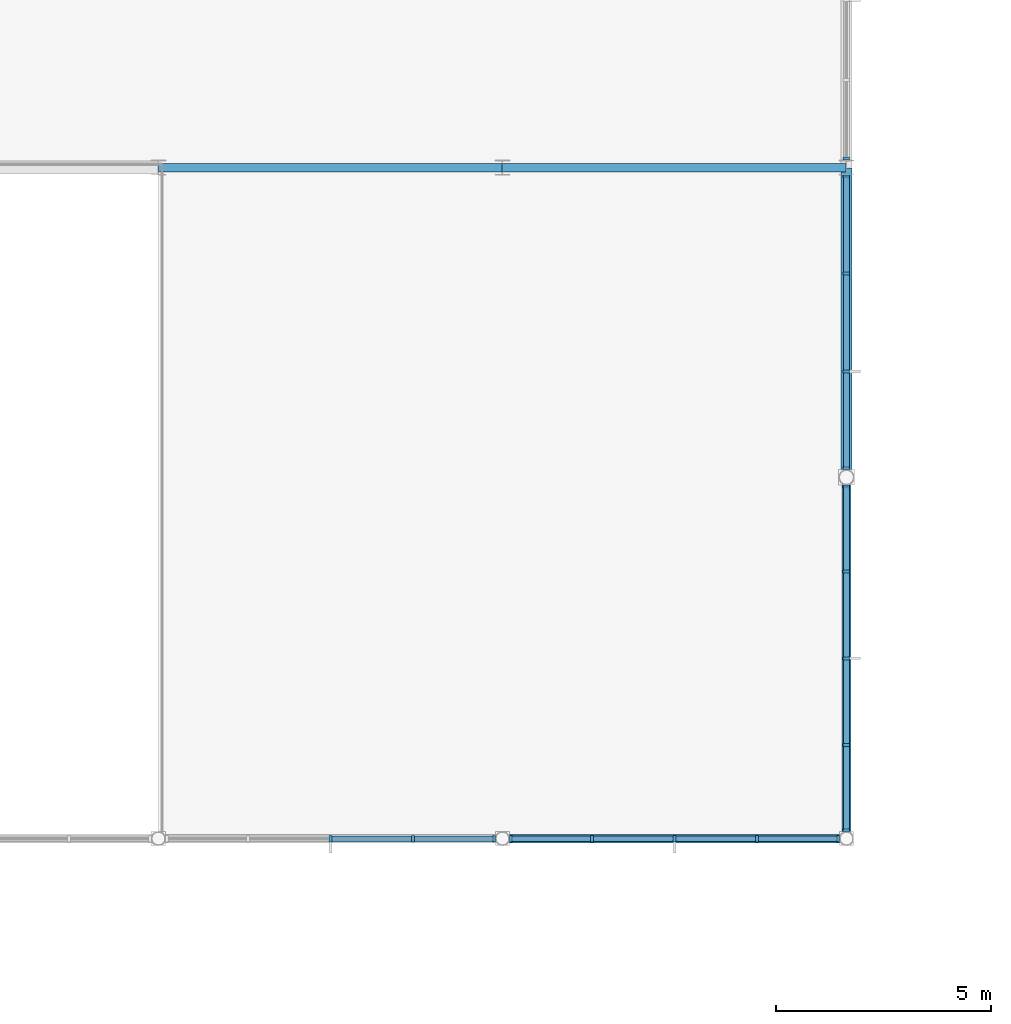
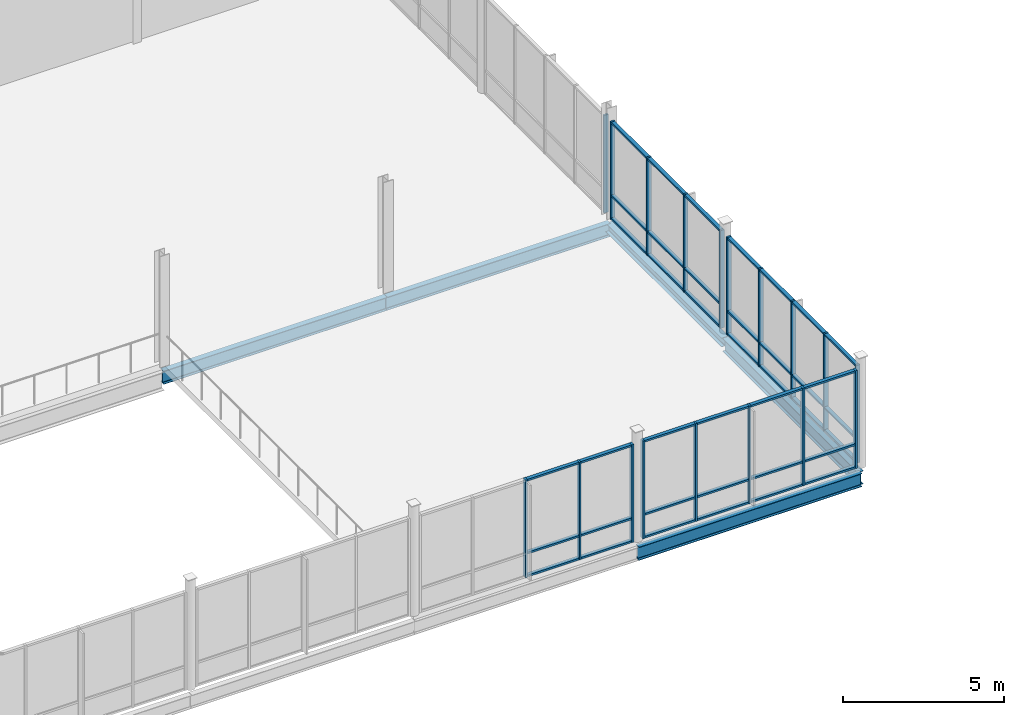
# One storey, part 29 of 75: 57 members, 5 beams, 5 elements without a shape of their own.
"""IFC4 building model written with IfcOpenShell, lengths in metres."""

import ifcopenshell
import ifcopenshell.guid

model = None  # the IFC model being written
_history = None  # IfcOwnerHistory: only IFC2X3 demands one
_inside = {}  # id of a spatial element -> (the spatial element, [elements in it])
_under = {}  # id of a project, library or spatial element -> (it, [spatial elements below it])
_declared = {}  # id of a project -> (the project, [libraries it declares])
_typed = {}  # id of a type object -> (the type object, [elements of that type])
_made_of = {}  # id of a material, layer set ... -> (it, [elements and type objects made of it])


def new_model(schema):
    """Start an empty IFC model of exactly this schema.

    Asked for "IFC4X3", IfcOpenShell would pick the latest addendum, in which some entities
    have other attributes; the version numbers below select the first issue.
    IFC2X3 requires an IfcOwnerHistory on every rooted entity: one is made here for all.
    """
    global model, _history
    if schema == "IFC4X3":
        model = ifcopenshell.file(schema_version=(4, 3, 0, 0))
    else:
        model = ifcopenshell.file(schema=schema)
    _inside.clear()
    _under.clear()
    _declared.clear()
    _typed.clear()
    _made_of.clear()
    _history = None
    if model.schema == "IFC2X3":
        org = make("IfcOrganization", Name="unknown")
        user = make(
            "IfcPersonAndOrganization",
            ThePerson=make("IfcPerson", FamilyName="unknown"),
            TheOrganization=org,
        )
        app = make(
            "IfcApplication",
            ApplicationDeveloper=org,
            Version="unknown",
            ApplicationFullName="unknown",
            ApplicationIdentifier="unknown",
        )
        _history = make(
            "IfcOwnerHistory",
            OwningUser=user,
            OwningApplication=app,
            ChangeAction="ADDED",
            CreationDate=0,
        )
    return model


def make(cls, **values):
    """One entity of the class cls with the attributes given. An attribute that is None is left unset."""
    return model.create_entity(
        cls, **{name: value for name, value in values.items() if value is not None}
    )


def rooted(cls, **values):
    """An entity with a GlobalId (a new one), such as an element, a storey or a relation."""
    return make(cls, GlobalId=ifcopenshell.guid.new(), OwnerHistory=_history, **values)


def si_unit(unit_type, name, prefix=None):
    """IfcSIUnit, for example si_unit("LENGTHUNIT", "METRE", prefix="MILLI")."""
    return make("IfcSIUnit", UnitType=unit_type, Prefix=prefix, Name=name)


def assignment(units):
    """IfcUnitAssignment: the units of a project."""
    return None if units is None else make("IfcUnitAssignment", Units=units)


def point(xyz):
    """IfcCartesianPoint."""
    return None if xyz is None else make("IfcCartesianPoint", Coordinates=xyz)


def direction(xyz):
    """IfcDirection."""
    return None if xyz is None else make("IfcDirection", DirectionRatios=xyz)


def frame(location, z_axis=None, x_axis=None):
    """IfcAxis2Placement3D, a coordinate frame: its origin and axes. An axis left out is left unset."""
    return make(
        "IfcAxis2Placement3D",
        Location=point(location),
        Axis=direction(z_axis),
        RefDirection=direction(x_axis),
    )


def frame_2d(location, x_axis=None):
    """IfcAxis2Placement2D, a coordinate frame in the plane: its origin and x axis."""
    return make(
        "IfcAxis2Placement2D", Location=point(location), RefDirection=direction(x_axis)
    )


def origin():
    """The frame at (0, 0, 0) with its axes left unset."""
    return frame((0.0, 0.0, 0.0))


def origin_2d():
    """The frame at (0, 0) in the plane with its x axis left unset."""
    return frame_2d((0.0, 0.0))


def place(relative_to, where):
    """IfcLocalPlacement: puts the frame where relative to a parent placement (None: the world)."""
    return make(
        "IfcLocalPlacement", PlacementRelTo=relative_to, RelativePlacement=where
    )


def context(
    kind, dimensions, precision=None, world=None, true_north=None, identifier=None
):
    """IfcGeometricRepresentationContext, for example the 3D "Model" context."""
    return make(
        "IfcGeometricRepresentationContext",
        ContextIdentifier=identifier,
        ContextType=kind,
        CoordinateSpaceDimension=dimensions,
        Precision=precision,
        WorldCoordinateSystem=world,
        TrueNorth=true_north,
    )


def subcontext(parent, identifier, kind, view, scale=None):
    """IfcGeometricRepresentationSubContext, for example "Body" below "Model"."""
    return make(
        "IfcGeometricRepresentationSubContext",
        ContextIdentifier=identifier,
        ContextType=kind,
        ParentContext=parent,
        TargetScale=scale,
        TargetView=view,
    )


def project(units=None, contexts=None):
    """IfcProject with its units and contexts."""
    return rooted(
        "IfcProject",
        Name="project",
        RepresentationContexts=contexts,
        UnitsInContext=assignment(units),
    )


def spatial(cls, under=None, at=None, **own):
    """A site, building, storey or space (cls), placed at a placement, below another one or the project."""
    s = rooted(cls, ObjectPlacement=at, **own)
    if under is not None:
        _under.setdefault(under.id(), (under, []))[1].append(s)
    return s


def profile(cls, at=None, kind="AREA", **sizes):
    """A parametric profile (cls). Its sizes go by their IFC names, for example OverallWidth=200.0."""
    return make(cls, ProfileType=kind, Position=at, **sizes)


def rectangle(**sizes):
    """IfcRectangleProfileDef."""
    return profile("IfcRectangleProfileDef", **sizes)


def i_section(**sizes):
    """IfcIShapeProfileDef."""
    return profile("IfcIShapeProfileDef", **sizes)


def extrude(swept, where, along, depth):
    """IfcExtrudedAreaSolid: the profile swept, set in the frame where, extruded along a direction by depth."""
    return make(
        "IfcExtrudedAreaSolid",
        SweptArea=swept,
        Position=where,
        ExtrudedDirection=direction(along),
        Depth=depth,
    )


def shape(context_of_items, identifier, shape_type, items):
    """IfcShapeRepresentation: the items that make up one representation, for example the "Body"."""
    return make(
        "IfcShapeRepresentation",
        ContextOfItems=context_of_items,
        RepresentationIdentifier=identifier,
        RepresentationType=shape_type,
        Items=items,
    )


def material(Name=None, Category=None):
    """IfcMaterial."""
    return make("IfcMaterial", Name=Name, Category=Category)


def layer(
    of_material, thickness, ventilated=None, Name=None, Category=None, Priority=None
):
    """IfcMaterialLayer: one layer of a wall or slab, of a material (None: an air gap)."""
    return make(
        "IfcMaterialLayer",
        Material=of_material,
        LayerThickness=thickness,
        IsVentilated=ventilated,
        Name=Name,
        Category=Category,
        Priority=Priority,
    )


def layer_set(layers, Name=None):
    """IfcMaterialLayerSet."""
    return make("IfcMaterialLayerSet", MaterialLayers=layers, LayerSetName=Name)


def material_profile(
    of_material, cross_section, Name=None, Category=None, Priority=None
):
    """IfcMaterialProfile: a cross section and its material."""
    return make(
        "IfcMaterialProfile",
        Name=Name,
        Material=of_material,
        Profile=cross_section,
        Priority=Priority,
        Category=Category,
    )


def profile_set(profiles, Name=None, composite=None):
    """IfcMaterialProfileSet."""
    return make(
        "IfcMaterialProfileSet",
        Name=Name,
        MaterialProfiles=profiles,
        CompositeProfile=composite,
    )


def made_of(thing, what):
    """Note that an element or type object is made of a material, layer set ...; save() writes the relation."""
    if what is not None:
        _made_of.setdefault(what.id(), (what, []))[1].append(thing)
    return thing


def type_object(cls, material=None, **own):
    """A type object (cls), such as IfcWallType, which elements share."""
    return made_of(rooted(cls, **own), material)


def element(
    cls,
    number,
    at=None,
    inside=None,
    cuts=None,
    type_object=None,
    material=None,
    context=None,
    identifier="Body",
    shape_type=None,
    held_by="IfcProductDefinitionShape",
    body=None,
    shapes=None,
    **own,
):
    """One element of the class cls, such as IfcWall. Its Tag is "e" and its number.

    at: its placement. inside: the storey or other place that contains it. cuts: it is an
    opening in that element (IfcRelVoidsElement). A single representation is given by context,
    identifier, shape_type and body (its items); several are given by shapes. held_by: the class
    of the entity that holds the representations. save() writes the other relations.
    """
    e = rooted(cls, Tag="e%d" % number, ObjectPlacement=at, **own)
    if body is not None:
        shapes = [shape(context, identifier, shape_type, body)]
    if shapes is not None:
        e.Representation = make(held_by, Representations=shapes)
    if inside is not None:
        _inside.setdefault(inside.id(), (inside, []))[1].append(e)
    if cuts is not None:
        rooted(
            "IfcRelVoidsElement", RelatingBuildingElement=cuts, RelatedOpeningElement=e
        )
    if type_object is not None:
        _typed.setdefault(type_object.id(), (type_object, []))[1].append(e)
    return made_of(e, material)


def aggregate(whole, parts):
    """IfcRelAggregates: a whole, such as a stair, and the parts it consists of."""
    return rooted("IfcRelAggregates", RelatingObject=whole, RelatedObjects=parts)


def save(model, path):
    """Write the relations noted so far, then the file.

    IfcRelAggregates (storeys below a building ...), IfcRelContainedInSpatialStructure (elements
    in a storey), IfcRelDefinesByType, IfcRelAssociatesMaterial and IfcRelDeclares: one each for
    every whole, place, type object, material and project.
    """
    for whole, parts in _under.values():
        aggregate(whole, parts)
    for where, things in _inside.values():
        rooted(
            "IfcRelContainedInSpatialStructure",
            RelatedElements=things,
            RelatingStructure=where,
        )
    for kind, things in _typed.values():
        rooted("IfcRelDefinesByType", RelatedObjects=things, RelatingType=kind)
    for what, things in _made_of.values():
        rooted("IfcRelAssociatesMaterial", RelatedObjects=things, RelatingMaterial=what)
    for by, libraries in _declared.values():
        rooted("IfcRelDeclares", RelatingContext=by, RelatedDefinitions=libraries)
    model.write(path)


model = new_model("IFC4")

# Units and contexts
model_context = context("Model", 3, precision=1e-05, world=origin(), true_north=direction((0.0, 1.0)))
body_context = subcontext(model_context, "Body", "Model", "MODEL_VIEW")
ifc_project = project(units=[si_unit("LENGTHUNIT", "METRE"), si_unit("AREAUNIT", "SQUARE_METRE"), si_unit("VOLUMEUNIT", "CUBIC_METRE"), si_unit("PLANEANGLEUNIT", "RADIAN"), si_unit("MASSUNIT", "GRAM", prefix="KILO")], contexts=[model_context])

# Site, building, storey
site_placement = place(None, origin())
site = spatial("IfcSite", under=ifc_project, at=site_placement, CompositionType="ELEMENT")
building_placement = place(site_placement, origin())
building = spatial("IfcBuilding", under=site, at=building_placement, Name="Yukiwa Park Conservatory and Herbarium", CompositionType="ELEMENT")
storey_placement = place(building_placement, frame((0.0, 0.0, 4.800048828125)))
storey = spatial("IfcBuildingStorey", under=building, at=storey_placement, Name="L01", CompositionType="ELEMENT", Elevation=4.800048828125)

# Beams
ifc_material_1 = material(Name="Steel Q355D", Category="steel")
ifc_material_profile_1 = material_profile(ifc_material_1, i_section(OverallWidth=0.25, OverallDepth=0.340087890625, WebThickness=0.009033203125, FlangeThickness=0.013916015625, FilletRadius=0.02001953125, at=origin_2d()), Name="HM 340x250x9x14")
ifc_profile_set_1 = profile_set([ifc_material_profile_1], Name="Steel Q355D")
beam_type_1 = type_object("IfcBeamType", Name="BM-GRD-HM340", PredefinedType="BEAM", material=ifc_profile_set_1)
beam_1_placement = place(storey_placement, frame((108.0, 24.006103515625, -0.41015625), z_axis=(0.0, 1.0, 0.0), x_axis=(-1.0, 0.0, 0.0)))
element("IfcBeam", 1, at=beam_1_placement, inside=storey, type_object=beam_type_1, Name="L01 grid girder Y-148", PredefinedType="BEAM", context=body_context, shape_type="SweptSolid", body=[
    extrude(i_section(OverallWidth=0.25, OverallDepth=0.340087890625, WebThickness=0.009033203125, FlangeThickness=0.013916015625, FilletRadius=0.02001953125, at=origin_2d()), origin(), (0.0, 0.0, 1.0), 7.18798828125),
])
ifc_material_2 = material(Name="Steel Q355D", Category="steel")
ifc_material_profile_2 = material_profile(ifc_material_2, i_section(OverallWidth=0.199951171875, OverallDepth=0.5, WebThickness=0.010009765625, FlangeThickness=0.01611328125, FilletRadius=0.02001953125, at=origin_2d()), Name="HN 500x200x10x16")
ifc_profile_set_2 = profile_set([ifc_material_profile_2], Name="Steel Q355D")
beam_type_2 = type_object("IfcBeamType", Name="BM-GRD-HN500", PredefinedType="BEAM", material=ifc_profile_set_2)
for number, where, z_axis, x_axis, name in (
    (2, (100.006103515625, 15.60009765625, -0.489990234375), (1.0, 0.0, 0.0), (0.0, 1.0, 0.0), "L01 grid beam X-16"),
    (3, (92.006103515625, 31.199951171875, -0.489990234375), (1.0, 0.0, 0.0), (0.0, 1.0, 0.0), "L01 grid beam X-30"),
    (4, (100.006103515625, 31.199951171875, -0.489990234375), (1.0, 0.0, 0.0), (0.0, 1.0, 0.0), "L01 grid beam X-31"),
):
    element("IfcBeam", number, at=place(storey_placement, frame(where, z_axis=z_axis, x_axis=x_axis)), inside=storey, type_object=beam_type_2, Name=name, PredefinedType="BEAM", context=body_context, shape_type="SweptSolid", body=[
        extrude(i_section(OverallWidth=0.199951171875, OverallDepth=0.5, WebThickness=0.010009765625, FlangeThickness=0.01611328125, FilletRadius=0.02001953125, at=origin_2d()), origin(), (0.0, 0.0, 1.0), 7.98779296875),
    ])
beam_2_placement = place(storey_placement, frame((108.0, 15.60595703125, -0.489990234375), z_axis=(0.0, 1.0, 0.0), x_axis=(-1.0, 0.0, 0.0)))
element("IfcBeam", 5, at=beam_2_placement, inside=storey, type_object=beam_type_2, Name="L01 grid girder Y-147", PredefinedType="BEAM", context=body_context, shape_type="SweptSolid", body=[
    extrude(i_section(OverallWidth=0.199951171875, OverallDepth=0.5, WebThickness=0.010009765625, FlangeThickness=0.01611328125, FilletRadius=0.02001953125, at=origin_2d()), origin(), (0.0, 0.0, 1.0), 8.387939453125),
])

# Curtain wall, members
ifc_material_3 = material(Name="Triple Low-E Insulated Glass", Category="glass")
ifc_layer = layer(ifc_material_3, 0.18798828125)
ifc_layer_set = layer_set([ifc_layer], Name="Triple Low-E Insulated Glass")
curtain_wall_type = type_object("IfcCurtainWallType", Name="CW-CONCOURSE-2000", PredefinedType="NOTDEFINED", material=ifc_layer_set)
curtain_wall_1_placement = place(storey_placement, origin())
curtain_wall_1 = element("IfcCurtainWall", 6, at=curtain_wall_1_placement, inside=storey, type_object=curtain_wall_type, Name="L01 unitised curtain wall CW-L01-040", PredefinedType="NOTDEFINED")
ifc_material_4 = material(Name="Anodised Aluminium", Category="aluminium")
member_type_1 = type_object("IfcMemberType", Name="MB-CW-MUL-70X150", PredefinedType="MULLION", material=ifc_material_4)
member_1_placement = place(storey_placement, frame((96.0, 15.60009765625, 0.0), z_axis=(0.0, 0.0, 1.0), x_axis=(1.0, 0.0, 0.0)))
member_1 = element("IfcMember", 7, at=member_1_placement, type_object=member_type_1, Name="CW-L01-040 mullion 3", PredefinedType="MULLION", context=body_context, shape_type="SweptSolid", body=[
    extrude(rectangle(XDim=0.070068359375, YDim=0.14990234375, at=origin_2d()), origin(), (0.0, 0.0, 1.0), 3.699951171875),
])
member_2_placement = place(storey_placement, frame((97.918701171875, 15.60009765625, 0.0), z_axis=(0.0, 0.0, 1.0), x_axis=(1.0, 0.0, 0.0)))
member_2 = element("IfcMember", 8, at=member_2_placement, type_object=member_type_1, Name="CW-L01-040 mullion 4", PredefinedType="MULLION", context=body_context, shape_type="SweptSolid", body=[
    extrude(rectangle(XDim=0.070068359375, YDim=0.14990234375, at=origin_2d()), origin(), (0.0, 0.0, 1.0), 3.699951171875),
])
member_3_placement = place(storey_placement, frame((99.802490234375, 15.60009765625, 0.0), z_axis=(0.0, 0.0, 1.0), x_axis=(1.0, 0.0, 0.0)))
member_3 = element("IfcMember", 9, at=member_3_placement, type_object=member_type_1, Name="CW-L01-040 mullion 5", PredefinedType="MULLION", context=body_context, shape_type="SweptSolid", body=[
    extrude(rectangle(XDim=0.070068359375, YDim=0.14990234375, at=origin_2d()), origin(), (0.0, 0.0, 1.0), 3.699951171875),
])

curtain_wall_2_placement = place(storey_placement, origin())
curtain_wall_2 = element("IfcCurtainWall", 10, at=curtain_wall_2_placement, inside=storey, type_object=curtain_wall_type, Name="L01 unitised curtain wall CW-L01-041", PredefinedType="NOTDEFINED")
member_4_placement = place(storey_placement, frame((100.197509765625, 15.60009765625, 0.0), z_axis=(0.0, 0.0, 1.0), x_axis=(1.0, 0.0, 0.0)))
member_4 = element("IfcMember", 11, at=member_4_placement, type_object=member_type_1, Name="CW-L01-041 mullion 1", PredefinedType="MULLION", context=body_context, shape_type="SweptSolid", body=[
    extrude(rectangle(XDim=0.070068359375, YDim=0.14990234375, at=origin_2d()), origin(), (0.0, 0.0, 1.0), 3.699951171875),
])
member_5_placement = place(storey_placement, frame((102.081298828125, 15.60009765625, 0.0), z_axis=(0.0, 0.0, 1.0), x_axis=(1.0, 0.0, 0.0)))
member_5 = element("IfcMember", 12, at=member_5_placement, type_object=member_type_1, Name="CW-L01-041 mullion 2", PredefinedType="MULLION", context=body_context, shape_type="SweptSolid", body=[
    extrude(rectangle(XDim=0.070068359375, YDim=0.14990234375, at=origin_2d()), origin(), (0.0, 0.0, 1.0), 3.699951171875),
])
member_6_placement = place(storey_placement, frame((104.0, 15.60009765625, 0.0), z_axis=(0.0, 0.0, 1.0), x_axis=(1.0, 0.0, 0.0)))
member_6 = element("IfcMember", 13, at=member_6_placement, type_object=member_type_1, Name="CW-L01-041 mullion 3", PredefinedType="MULLION", context=body_context, shape_type="SweptSolid", body=[
    extrude(rectangle(XDim=0.070068359375, YDim=0.14990234375, at=origin_2d()), origin(), (0.0, 0.0, 1.0), 3.699951171875),
])
member_7_placement = place(storey_placement, frame((105.918701171875, 15.60009765625, 0.0), z_axis=(0.0, 0.0, 1.0), x_axis=(1.0, 0.0, 0.0)))
member_7 = element("IfcMember", 14, at=member_7_placement, type_object=member_type_1, Name="CW-L01-041 mullion 4", PredefinedType="MULLION", context=body_context, shape_type="SweptSolid", body=[
    extrude(rectangle(XDim=0.070068359375, YDim=0.14990234375, at=origin_2d()), origin(), (0.0, 0.0, 1.0), 3.699951171875),
])
member_8_placement = place(storey_placement, frame((107.802490234375, 15.60009765625, 0.0), z_axis=(0.0, 0.0, 1.0), x_axis=(1.0, 0.0, 0.0)))
member_8 = element("IfcMember", 15, at=member_8_placement, type_object=member_type_1, Name="CW-L01-041 mullion 5", PredefinedType="MULLION", context=body_context, shape_type="SweptSolid", body=[
    extrude(rectangle(XDim=0.070068359375, YDim=0.14990234375, at=origin_2d()), origin(), (0.0, 0.0, 1.0), 3.699951171875),
])

curtain_wall_3_placement = place(storey_placement, origin())
curtain_wall_3 = element("IfcCurtainWall", 16, at=curtain_wall_3_placement, inside=storey, type_object=curtain_wall_type, Name="L01 unitised curtain wall CW-L01-042", PredefinedType="NOTDEFINED")
member_9_placement = place(storey_placement, frame((108.0, 15.797607421875, 0.0), z_axis=(0.0, 0.0, 1.0), x_axis=(0.0, 1.0, 0.0)))
member_9 = element("IfcMember", 17, at=member_9_placement, type_object=member_type_1, Name="CW-L01-042 mullion 1", PredefinedType="MULLION", context=body_context, shape_type="SweptSolid", body=[
    extrude(rectangle(XDim=0.070068359375, YDim=0.14990234375, at=origin_2d()), origin(), (0.0, 0.0, 1.0), 3.699951171875),
])
member_10_placement = place(storey_placement, frame((108.0, 17.77734375, 0.0), z_axis=(0.0, 0.0, 1.0), x_axis=(0.0, 1.0, 0.0)))
member_10 = element("IfcMember", 18, at=member_10_placement, type_object=member_type_1, Name="CW-L01-042 mullion 2", PredefinedType="MULLION", context=body_context, shape_type="SweptSolid", body=[
    extrude(rectangle(XDim=0.070068359375, YDim=0.14990234375, at=origin_2d()), origin(), (0.0, 0.0, 1.0), 3.699951171875),
])
member_11_placement = place(storey_placement, frame((108.0, 19.792236328125, 0.0), z_axis=(0.0, 0.0, 1.0), x_axis=(0.0, 1.0, 0.0)))
member_11 = element("IfcMember", 19, at=member_11_placement, type_object=member_type_1, Name="CW-L01-042 mullion 3", PredefinedType="MULLION", context=body_context, shape_type="SweptSolid", body=[
    extrude(rectangle(XDim=0.070068359375, YDim=0.14990234375, at=origin_2d()), origin(), (0.0, 0.0, 1.0), 3.699951171875),
])
member_12_placement = place(storey_placement, frame((108.0, 21.807373046875, 0.0), z_axis=(0.0, 0.0, 1.0), x_axis=(0.0, 1.0, 0.0)))
member_12 = element("IfcMember", 20, at=member_12_placement, type_object=member_type_1, Name="CW-L01-042 mullion 4", PredefinedType="MULLION", context=body_context, shape_type="SweptSolid", body=[
    extrude(rectangle(XDim=0.070068359375, YDim=0.14990234375, at=origin_2d()), origin(), (0.0, 0.0, 1.0), 3.699951171875),
])
member_13_placement = place(storey_placement, frame((108.0, 23.787109375, 0.0), z_axis=(0.0, 0.0, 1.0), x_axis=(0.0, 1.0, 0.0)))
member_13 = element("IfcMember", 21, at=member_13_placement, type_object=member_type_1, Name="CW-L01-042 mullion 5", PredefinedType="MULLION", context=body_context, shape_type="SweptSolid", body=[
    extrude(rectangle(XDim=0.070068359375, YDim=0.14990234375, at=origin_2d()), origin(), (0.0, 0.0, 1.0), 3.699951171875),
])

curtain_wall_4_placement = place(storey_placement, origin())
curtain_wall_4 = element("IfcCurtainWall", 22, at=curtain_wall_4_placement, inside=storey, type_object=curtain_wall_type, Name="L01 unitised curtain wall CW-L01-043", PredefinedType="NOTDEFINED")
member_14_placement = place(storey_placement, frame((108.0, 24.212890625, 0.0), z_axis=(0.0, 0.0, 1.0), x_axis=(0.0, 1.0, 0.0)))
member_14 = element("IfcMember", 23, at=member_14_placement, type_object=member_type_1, Name="CW-L01-043 mullion 1", PredefinedType="MULLION", context=body_context, shape_type="SweptSolid", body=[
    extrude(rectangle(XDim=0.070068359375, YDim=0.14990234375, at=origin_2d()), origin(), (0.0, 0.0, 1.0), 3.699951171875),
])
member_15_placement = place(storey_placement, frame((108.0, 26.460205078125, 0.0), z_axis=(0.0, 0.0, 1.0), x_axis=(0.0, 1.0, 0.0)))
member_15 = element("IfcMember", 24, at=member_15_placement, type_object=member_type_1, Name="CW-L01-043 mullion 2", PredefinedType="MULLION", context=body_context, shape_type="SweptSolid", body=[
    extrude(rectangle(XDim=0.070068359375, YDim=0.14990234375, at=origin_2d()), origin(), (0.0, 0.0, 1.0), 3.699951171875),
])
member_16_placement = place(storey_placement, frame((108.0, 28.74267578125, 0.0), z_axis=(0.0, 0.0, 1.0), x_axis=(0.0, 1.0, 0.0)))
member_16 = element("IfcMember", 25, at=member_16_placement, type_object=member_type_1, Name="CW-L01-043 mullion 3", PredefinedType="MULLION", context=body_context, shape_type="SweptSolid", body=[
    extrude(rectangle(XDim=0.070068359375, YDim=0.14990234375, at=origin_2d()), origin(), (0.0, 0.0, 1.0), 3.699951171875),
])
member_17_placement = place(storey_placement, frame((108.0, 30.989990234375, 0.0), z_axis=(0.0, 0.0, 1.0), x_axis=(0.0, 1.0, 0.0)))
member_17 = element("IfcMember", 26, at=member_17_placement, type_object=member_type_1, Name="CW-L01-043 mullion 4", PredefinedType="MULLION", context=body_context, shape_type="SweptSolid", body=[
    extrude(rectangle(XDim=0.070068359375, YDim=0.14990234375, at=origin_2d()), origin(), (0.0, 0.0, 1.0), 3.699951171875),
])

# Curtain wall, member
curtain_wall_5_placement = place(storey_placement, origin())
curtain_wall_5 = element("IfcCurtainWall", 27, at=curtain_wall_5_placement, inside=storey, type_object=curtain_wall_type, Name="L01 unitised curtain wall CW-L01-044", PredefinedType="NOTDEFINED")
member_18_placement = place(storey_placement, frame((108.0, 31.409912109375, 0.0), z_axis=(0.0, 0.0, 1.0), x_axis=(0.0, 1.0, 0.0)))
member_18 = element("IfcMember", 28, at=member_18_placement, type_object=member_type_1, Name="CW-L01-044 mullion 1", PredefinedType="MULLION", context=body_context, shape_type="SweptSolid", body=[
    extrude(rectangle(XDim=0.070068359375, YDim=0.14990234375, at=origin_2d()), origin(), (0.0, 0.0, 1.0), 3.699951171875),
])
aggregate(curtain_wall_5, [member_18])

# Member
ifc_material_5 = material(Name="Anodised Aluminium", Category="aluminium")
member_type_2 = type_object("IfcMemberType", Name="MB-CW-TRN-70X130", PredefinedType="USERDEFINED", material=ifc_material_5)
member_19_placement = place(storey_placement, frame((96.95947265625, 15.60009765625, 0.0), z_axis=(0.0, 0.0, 1.0), x_axis=(1.0, 0.0, 0.0)))
member_19 = element("IfcMember", 29, at=member_19_placement, type_object=member_type_2, Name="CW-L01-040 transom 3.1", ObjectType="TRANSOM", PredefinedType="USERDEFINED", context=body_context, shape_type="SweptSolid", body=[
    extrude(rectangle(XDim=1.848876953125, YDim=0.1298828125, at=origin_2d()), origin(), (0.0, 0.0, 1.0), 0.070068359375),
])

member_20_placement = place(storey_placement, frame((96.95947265625, 15.60009765625, 0.86474609375), z_axis=(0.0, 0.0, 1.0), x_axis=(1.0, 0.0, 0.0)))
member_20 = element("IfcMember", 30, at=member_20_placement, type_object=member_type_2, Name="CW-L01-040 transom 3.2", ObjectType="TRANSOM", PredefinedType="USERDEFINED", context=body_context, shape_type="SweptSolid", body=[
    extrude(rectangle(XDim=1.848876953125, YDim=0.1298828125, at=origin_2d()), origin(), (0.0, 0.0, 1.0), 0.070068359375),
])

member_21_placement = place(storey_placement, frame((96.95947265625, 15.60009765625, 3.6298828125), z_axis=(0.0, 0.0, 1.0), x_axis=(1.0, 0.0, 0.0)))
member_21 = element("IfcMember", 31, at=member_21_placement, type_object=member_type_2, Name="CW-L01-040 transom 3.3", ObjectType="TRANSOM", PredefinedType="USERDEFINED", context=body_context, shape_type="SweptSolid", body=[
    extrude(rectangle(XDim=1.848876953125, YDim=0.1298828125, at=origin_2d()), origin(), (0.0, 0.0, 1.0), 0.070068359375),
])

member_22_placement = place(storey_placement, frame((98.878173828125, 15.60009765625, 0.0), z_axis=(0.0, 0.0, 1.0), x_axis=(1.0, 0.0, 0.0)))
member_22 = element("IfcMember", 32, at=member_22_placement, type_object=member_type_2, Name="CW-L01-040 transom 4.1", ObjectType="TRANSOM", PredefinedType="USERDEFINED", context=body_context, shape_type="SweptSolid", body=[
    extrude(rectangle(XDim=1.848876953125, YDim=0.1298828125, at=origin_2d()), origin(), (0.0, 0.0, 1.0), 0.070068359375),
])

member_23_placement = place(storey_placement, frame((98.878173828125, 15.60009765625, 0.86474609375), z_axis=(0.0, 0.0, 1.0), x_axis=(1.0, 0.0, 0.0)))
member_23 = element("IfcMember", 33, at=member_23_placement, type_object=member_type_2, Name="CW-L01-040 transom 4.2", ObjectType="TRANSOM", PredefinedType="USERDEFINED", context=body_context, shape_type="SweptSolid", body=[
    extrude(rectangle(XDim=1.848876953125, YDim=0.1298828125, at=origin_2d()), origin(), (0.0, 0.0, 1.0), 0.070068359375),
])

member_24_placement = place(storey_placement, frame((98.878173828125, 15.60009765625, 3.6298828125), z_axis=(0.0, 0.0, 1.0), x_axis=(1.0, 0.0, 0.0)))
member_24 = element("IfcMember", 34, at=member_24_placement, type_object=member_type_2, Name="CW-L01-040 transom 4.3", ObjectType="TRANSOM", PredefinedType="USERDEFINED", context=body_context, shape_type="SweptSolid", body=[
    extrude(rectangle(XDim=1.848876953125, YDim=0.1298828125, at=origin_2d()), origin(), (0.0, 0.0, 1.0), 0.070068359375),
])

aggregate(curtain_wall_1, [member_1, member_2, member_3, member_19, member_20, member_21, member_22, member_23, member_24])

member_25_placement = place(storey_placement, frame((101.121826171875, 15.60009765625, 0.0), z_axis=(0.0, 0.0, 1.0), x_axis=(1.0, 0.0, 0.0)))
member_25 = element("IfcMember", 35, at=member_25_placement, type_object=member_type_2, Name="CW-L01-041 transom 1.1", ObjectType="TRANSOM", PredefinedType="USERDEFINED", context=body_context, shape_type="SweptSolid", body=[
    extrude(rectangle(XDim=1.848876953125, YDim=0.1298828125, at=origin_2d()), origin(), (0.0, 0.0, 1.0), 0.070068359375),
])

member_26_placement = place(storey_placement, frame((101.121826171875, 15.60009765625, 0.86474609375), z_axis=(0.0, 0.0, 1.0), x_axis=(1.0, 0.0, 0.0)))
member_26 = element("IfcMember", 36, at=member_26_placement, type_object=member_type_2, Name="CW-L01-041 transom 1.2", ObjectType="TRANSOM", PredefinedType="USERDEFINED", context=body_context, shape_type="SweptSolid", body=[
    extrude(rectangle(XDim=1.848876953125, YDim=0.1298828125, at=origin_2d()), origin(), (0.0, 0.0, 1.0), 0.070068359375),
])

member_27_placement = place(storey_placement, frame((101.121826171875, 15.60009765625, 3.6298828125), z_axis=(0.0, 0.0, 1.0), x_axis=(1.0, 0.0, 0.0)))
member_27 = element("IfcMember", 37, at=member_27_placement, type_object=member_type_2, Name="CW-L01-041 transom 1.3", ObjectType="TRANSOM", PredefinedType="USERDEFINED", context=body_context, shape_type="SweptSolid", body=[
    extrude(rectangle(XDim=1.848876953125, YDim=0.1298828125, at=origin_2d()), origin(), (0.0, 0.0, 1.0), 0.070068359375),
])

member_28_placement = place(storey_placement, frame((103.04052734375, 15.60009765625, 0.0), z_axis=(0.0, 0.0, 1.0), x_axis=(1.0, 0.0, 0.0)))
member_28 = element("IfcMember", 38, at=member_28_placement, type_object=member_type_2, Name="CW-L01-041 transom 2.1", ObjectType="TRANSOM", PredefinedType="USERDEFINED", context=body_context, shape_type="SweptSolid", body=[
    extrude(rectangle(XDim=1.848876953125, YDim=0.1298828125, at=origin_2d()), origin(), (0.0, 0.0, 1.0), 0.070068359375),
])

member_29_placement = place(storey_placement, frame((103.04052734375, 15.60009765625, 0.86474609375), z_axis=(0.0, 0.0, 1.0), x_axis=(1.0, 0.0, 0.0)))
member_29 = element("IfcMember", 39, at=member_29_placement, type_object=member_type_2, Name="CW-L01-041 transom 2.2", ObjectType="TRANSOM", PredefinedType="USERDEFINED", context=body_context, shape_type="SweptSolid", body=[
    extrude(rectangle(XDim=1.848876953125, YDim=0.1298828125, at=origin_2d()), origin(), (0.0, 0.0, 1.0), 0.070068359375),
])

member_30_placement = place(storey_placement, frame((103.04052734375, 15.60009765625, 3.6298828125), z_axis=(0.0, 0.0, 1.0), x_axis=(1.0, 0.0, 0.0)))
member_30 = element("IfcMember", 40, at=member_30_placement, type_object=member_type_2, Name="CW-L01-041 transom 2.3", ObjectType="TRANSOM", PredefinedType="USERDEFINED", context=body_context, shape_type="SweptSolid", body=[
    extrude(rectangle(XDim=1.848876953125, YDim=0.1298828125, at=origin_2d()), origin(), (0.0, 0.0, 1.0), 0.070068359375),
])

member_31_placement = place(storey_placement, frame((104.95947265625, 15.60009765625, 0.0), z_axis=(0.0, 0.0, 1.0), x_axis=(1.0, 0.0, 0.0)))
member_31 = element("IfcMember", 41, at=member_31_placement, type_object=member_type_2, Name="CW-L01-041 transom 3.1", ObjectType="TRANSOM", PredefinedType="USERDEFINED", context=body_context, shape_type="SweptSolid", body=[
    extrude(rectangle(XDim=1.848876953125, YDim=0.1298828125, at=origin_2d()), origin(), (0.0, 0.0, 1.0), 0.070068359375),
])

member_32_placement = place(storey_placement, frame((104.95947265625, 15.60009765625, 0.86474609375), z_axis=(0.0, 0.0, 1.0), x_axis=(1.0, 0.0, 0.0)))
member_32 = element("IfcMember", 42, at=member_32_placement, type_object=member_type_2, Name="CW-L01-041 transom 3.2", ObjectType="TRANSOM", PredefinedType="USERDEFINED", context=body_context, shape_type="SweptSolid", body=[
    extrude(rectangle(XDim=1.848876953125, YDim=0.1298828125, at=origin_2d()), origin(), (0.0, 0.0, 1.0), 0.070068359375),
])

member_33_placement = place(storey_placement, frame((104.95947265625, 15.60009765625, 3.6298828125), z_axis=(0.0, 0.0, 1.0), x_axis=(1.0, 0.0, 0.0)))
member_33 = element("IfcMember", 43, at=member_33_placement, type_object=member_type_2, Name="CW-L01-041 transom 3.3", ObjectType="TRANSOM", PredefinedType="USERDEFINED", context=body_context, shape_type="SweptSolid", body=[
    extrude(rectangle(XDim=1.848876953125, YDim=0.1298828125, at=origin_2d()), origin(), (0.0, 0.0, 1.0), 0.070068359375),
])

member_34_placement = place(storey_placement, frame((106.878173828125, 15.60009765625, 0.0), z_axis=(0.0, 0.0, 1.0), x_axis=(1.0, 0.0, 0.0)))
member_34 = element("IfcMember", 44, at=member_34_placement, type_object=member_type_2, Name="CW-L01-041 transom 4.1", ObjectType="TRANSOM", PredefinedType="USERDEFINED", context=body_context, shape_type="SweptSolid", body=[
    extrude(rectangle(XDim=1.848876953125, YDim=0.1298828125, at=origin_2d()), origin(), (0.0, 0.0, 1.0), 0.070068359375),
])

member_35_placement = place(storey_placement, frame((106.878173828125, 15.60009765625, 0.86474609375), z_axis=(0.0, 0.0, 1.0), x_axis=(1.0, 0.0, 0.0)))
member_35 = element("IfcMember", 45, at=member_35_placement, type_object=member_type_2, Name="CW-L01-041 transom 4.2", ObjectType="TRANSOM", PredefinedType="USERDEFINED", context=body_context, shape_type="SweptSolid", body=[
    extrude(rectangle(XDim=1.848876953125, YDim=0.1298828125, at=origin_2d()), origin(), (0.0, 0.0, 1.0), 0.070068359375),
])

member_36_placement = place(storey_placement, frame((106.878173828125, 15.60009765625, 3.6298828125), z_axis=(0.0, 0.0, 1.0), x_axis=(1.0, 0.0, 0.0)))
member_36 = element("IfcMember", 46, at=member_36_placement, type_object=member_type_2, Name="CW-L01-041 transom 4.3", ObjectType="TRANSOM", PredefinedType="USERDEFINED", context=body_context, shape_type="SweptSolid", body=[
    extrude(rectangle(XDim=1.848876953125, YDim=0.1298828125, at=origin_2d()), origin(), (0.0, 0.0, 1.0), 0.070068359375),
])

aggregate(curtain_wall_2, [member_4, member_5, member_6, member_7, member_8, member_25, member_26, member_27, member_28, member_29, member_30, member_31, member_32, member_33, member_34, member_35, member_36])

member_37_placement = place(storey_placement, frame((108.0, 16.77001953125, 0.0), z_axis=(0.0, 0.0, 1.0), x_axis=(0.0, 1.0, 0.0)))
member_37 = element("IfcMember", 47, at=member_37_placement, type_object=member_type_2, Name="CW-L01-042 transom 1.1", ObjectType="TRANSOM", PredefinedType="USERDEFINED", context=body_context, shape_type="SweptSolid", body=[
    extrude(rectangle(XDim=1.94482421875, YDim=0.1298828125, at=origin_2d()), origin(), (0.0, 0.0, 1.0), 0.070068359375),
])

member_38_placement = place(storey_placement, frame((108.0, 16.77001953125, 0.86474609375), z_axis=(0.0, 0.0, 1.0), x_axis=(0.0, 1.0, 0.0)))
member_38 = element("IfcMember", 48, at=member_38_placement, type_object=member_type_2, Name="CW-L01-042 transom 1.2", ObjectType="TRANSOM", PredefinedType="USERDEFINED", context=body_context, shape_type="SweptSolid", body=[
    extrude(rectangle(XDim=1.94482421875, YDim=0.1298828125, at=origin_2d()), origin(), (0.0, 0.0, 1.0), 0.070068359375),
])

member_39_placement = place(storey_placement, frame((108.0, 16.77001953125, 3.6298828125), z_axis=(0.0, 0.0, 1.0), x_axis=(0.0, 1.0, 0.0)))
member_39 = element("IfcMember", 49, at=member_39_placement, type_object=member_type_2, Name="CW-L01-042 transom 1.3", ObjectType="TRANSOM", PredefinedType="USERDEFINED", context=body_context, shape_type="SweptSolid", body=[
    extrude(rectangle(XDim=1.94482421875, YDim=0.1298828125, at=origin_2d()), origin(), (0.0, 0.0, 1.0), 0.070068359375),
])

member_40_placement = place(storey_placement, frame((108.0, 18.784912109375, 0.0), z_axis=(0.0, 0.0, 1.0), x_axis=(0.0, 1.0, 0.0)))
member_40 = element("IfcMember", 50, at=member_40_placement, type_object=member_type_2, Name="CW-L01-042 transom 2.1", ObjectType="TRANSOM", PredefinedType="USERDEFINED", context=body_context, shape_type="SweptSolid", body=[
    extrude(rectangle(XDim=1.94482421875, YDim=0.1298828125, at=origin_2d()), origin(), (0.0, 0.0, 1.0), 0.070068359375),
])

member_41_placement = place(storey_placement, frame((108.0, 18.784912109375, 0.86474609375), z_axis=(0.0, 0.0, 1.0), x_axis=(0.0, 1.0, 0.0)))
member_41 = element("IfcMember", 51, at=member_41_placement, type_object=member_type_2, Name="CW-L01-042 transom 2.2", ObjectType="TRANSOM", PredefinedType="USERDEFINED", context=body_context, shape_type="SweptSolid", body=[
    extrude(rectangle(XDim=1.94482421875, YDim=0.1298828125, at=origin_2d()), origin(), (0.0, 0.0, 1.0), 0.070068359375),
])

member_42_placement = place(storey_placement, frame((108.0, 18.784912109375, 3.6298828125), z_axis=(0.0, 0.0, 1.0), x_axis=(0.0, 1.0, 0.0)))
member_42 = element("IfcMember", 52, at=member_42_placement, type_object=member_type_2, Name="CW-L01-042 transom 2.3", ObjectType="TRANSOM", PredefinedType="USERDEFINED", context=body_context, shape_type="SweptSolid", body=[
    extrude(rectangle(XDim=1.94482421875, YDim=0.1298828125, at=origin_2d()), origin(), (0.0, 0.0, 1.0), 0.070068359375),
])

member_43_placement = place(storey_placement, frame((108.0, 20.7998046875, 0.0), z_axis=(0.0, 0.0, 1.0), x_axis=(0.0, 1.0, 0.0)))
member_43 = element("IfcMember", 53, at=member_43_placement, type_object=member_type_2, Name="CW-L01-042 transom 3.1", ObjectType="TRANSOM", PredefinedType="USERDEFINED", context=body_context, shape_type="SweptSolid", body=[
    extrude(rectangle(XDim=1.94482421875, YDim=0.1298828125, at=origin_2d()), origin(), (0.0, 0.0, 1.0), 0.070068359375),
])

member_44_placement = place(storey_placement, frame((108.0, 20.7998046875, 0.86474609375), z_axis=(0.0, 0.0, 1.0), x_axis=(0.0, 1.0, 0.0)))
member_44 = element("IfcMember", 54, at=member_44_placement, type_object=member_type_2, Name="CW-L01-042 transom 3.2", ObjectType="TRANSOM", PredefinedType="USERDEFINED", context=body_context, shape_type="SweptSolid", body=[
    extrude(rectangle(XDim=1.94482421875, YDim=0.1298828125, at=origin_2d()), origin(), (0.0, 0.0, 1.0), 0.070068359375),
])

member_45_placement = place(storey_placement, frame((108.0, 20.7998046875, 3.6298828125), z_axis=(0.0, 0.0, 1.0), x_axis=(0.0, 1.0, 0.0)))
member_45 = element("IfcMember", 55, at=member_45_placement, type_object=member_type_2, Name="CW-L01-042 transom 3.3", ObjectType="TRANSOM", PredefinedType="USERDEFINED", context=body_context, shape_type="SweptSolid", body=[
    extrude(rectangle(XDim=1.94482421875, YDim=0.1298828125, at=origin_2d()), origin(), (0.0, 0.0, 1.0), 0.070068359375),
])

member_46_placement = place(storey_placement, frame((108.0, 22.814697265625, 0.0), z_axis=(0.0, 0.0, 1.0), x_axis=(0.0, 1.0, 0.0)))
member_46 = element("IfcMember", 56, at=member_46_placement, type_object=member_type_2, Name="CW-L01-042 transom 4.1", ObjectType="TRANSOM", PredefinedType="USERDEFINED", context=body_context, shape_type="SweptSolid", body=[
    extrude(rectangle(XDim=1.94482421875, YDim=0.1298828125, at=origin_2d()), origin(), (0.0, 0.0, 1.0), 0.070068359375),
])

member_47_placement = place(storey_placement, frame((108.0, 22.814697265625, 0.86474609375), z_axis=(0.0, 0.0, 1.0), x_axis=(0.0, 1.0, 0.0)))
member_47 = element("IfcMember", 57, at=member_47_placement, type_object=member_type_2, Name="CW-L01-042 transom 4.2", ObjectType="TRANSOM", PredefinedType="USERDEFINED", context=body_context, shape_type="SweptSolid", body=[
    extrude(rectangle(XDim=1.94482421875, YDim=0.1298828125, at=origin_2d()), origin(), (0.0, 0.0, 1.0), 0.070068359375),
])

member_48_placement = place(storey_placement, frame((108.0, 22.814697265625, 3.6298828125), z_axis=(0.0, 0.0, 1.0), x_axis=(0.0, 1.0, 0.0)))
member_48 = element("IfcMember", 58, at=member_48_placement, type_object=member_type_2, Name="CW-L01-042 transom 4.3", ObjectType="TRANSOM", PredefinedType="USERDEFINED", context=body_context, shape_type="SweptSolid", body=[
    extrude(rectangle(XDim=1.94482421875, YDim=0.1298828125, at=origin_2d()), origin(), (0.0, 0.0, 1.0), 0.070068359375),
])

aggregate(curtain_wall_3, [member_9, member_10, member_11, member_12, member_13, member_37, member_38, member_39, member_40, member_41, member_42, member_43, member_44, member_45, member_46, member_47, member_48])

member_49_placement = place(storey_placement, frame((108.0, 25.319091796875, 0.0), z_axis=(0.0, 0.0, 1.0), x_axis=(0.0, 1.0, 0.0)))
member_49 = element("IfcMember", 59, at=member_49_placement, type_object=member_type_2, Name="CW-L01-043 transom 1.1", ObjectType="TRANSOM", PredefinedType="USERDEFINED", context=body_context, shape_type="SweptSolid", body=[
    extrude(rectangle(XDim=2.21240234375, YDim=0.1298828125, at=origin_2d()), origin(), (0.0, 0.0, 1.0), 0.070068359375),
])

member_50_placement = place(storey_placement, frame((108.0, 25.319091796875, 0.86474609375), z_axis=(0.0, 0.0, 1.0), x_axis=(0.0, 1.0, 0.0)))
member_50 = element("IfcMember", 60, at=member_50_placement, type_object=member_type_2, Name="CW-L01-043 transom 1.2", ObjectType="TRANSOM", PredefinedType="USERDEFINED", context=body_context, shape_type="SweptSolid", body=[
    extrude(rectangle(XDim=2.21240234375, YDim=0.1298828125, at=origin_2d()), origin(), (0.0, 0.0, 1.0), 0.070068359375),
])

member_51_placement = place(storey_placement, frame((108.0, 25.319091796875, 3.6298828125), z_axis=(0.0, 0.0, 1.0), x_axis=(0.0, 1.0, 0.0)))
member_51 = element("IfcMember", 61, at=member_51_placement, type_object=member_type_2, Name="CW-L01-043 transom 1.3", ObjectType="TRANSOM", PredefinedType="USERDEFINED", context=body_context, shape_type="SweptSolid", body=[
    extrude(rectangle(XDim=2.21240234375, YDim=0.1298828125, at=origin_2d()), origin(), (0.0, 0.0, 1.0), 0.070068359375),
])

member_52_placement = place(storey_placement, frame((108.0, 27.601318359375, 0.0), z_axis=(0.0, 0.0, 1.0), x_axis=(0.0, 1.0, 0.0)))
member_52 = element("IfcMember", 62, at=member_52_placement, type_object=member_type_2, Name="CW-L01-043 transom 2.1", ObjectType="TRANSOM", PredefinedType="USERDEFINED", context=body_context, shape_type="SweptSolid", body=[
    extrude(rectangle(XDim=2.21240234375, YDim=0.1298828125, at=origin_2d()), origin(), (0.0, 0.0, 1.0), 0.070068359375),
])

member_53_placement = place(storey_placement, frame((108.0, 27.601318359375, 0.86474609375), z_axis=(0.0, 0.0, 1.0), x_axis=(0.0, 1.0, 0.0)))
member_53 = element("IfcMember", 63, at=member_53_placement, type_object=member_type_2, Name="CW-L01-043 transom 2.2", ObjectType="TRANSOM", PredefinedType="USERDEFINED", context=body_context, shape_type="SweptSolid", body=[
    extrude(rectangle(XDim=2.21240234375, YDim=0.1298828125, at=origin_2d()), origin(), (0.0, 0.0, 1.0), 0.070068359375),
])

member_54_placement = place(storey_placement, frame((108.0, 27.601318359375, 3.6298828125), z_axis=(0.0, 0.0, 1.0), x_axis=(0.0, 1.0, 0.0)))
member_54 = element("IfcMember", 64, at=member_54_placement, type_object=member_type_2, Name="CW-L01-043 transom 2.3", ObjectType="TRANSOM", PredefinedType="USERDEFINED", context=body_context, shape_type="SweptSolid", body=[
    extrude(rectangle(XDim=2.21240234375, YDim=0.1298828125, at=origin_2d()), origin(), (0.0, 0.0, 1.0), 0.070068359375),
])

member_55_placement = place(storey_placement, frame((108.0, 29.8837890625, 0.0), z_axis=(0.0, 0.0, 1.0), x_axis=(0.0, 1.0, 0.0)))
member_55 = element("IfcMember", 65, at=member_55_placement, type_object=member_type_2, Name="CW-L01-043 transom 3.1", ObjectType="TRANSOM", PredefinedType="USERDEFINED", context=body_context, shape_type="SweptSolid", body=[
    extrude(rectangle(XDim=2.21240234375, YDim=0.1298828125, at=origin_2d()), origin(), (0.0, 0.0, 1.0), 0.070068359375),
])

member_56_placement = place(storey_placement, frame((108.0, 29.8837890625, 0.86474609375), z_axis=(0.0, 0.0, 1.0), x_axis=(0.0, 1.0, 0.0)))
member_56 = element("IfcMember", 66, at=member_56_placement, type_object=member_type_2, Name="CW-L01-043 transom 3.2", ObjectType="TRANSOM", PredefinedType="USERDEFINED", context=body_context, shape_type="SweptSolid", body=[
    extrude(rectangle(XDim=2.21240234375, YDim=0.1298828125, at=origin_2d()), origin(), (0.0, 0.0, 1.0), 0.070068359375),
])

member_57_placement = place(storey_placement, frame((108.0, 29.8837890625, 3.6298828125), z_axis=(0.0, 0.0, 1.0), x_axis=(0.0, 1.0, 0.0)))
member_57 = element("IfcMember", 67, at=member_57_placement, type_object=member_type_2, Name="CW-L01-043 transom 3.3", ObjectType="TRANSOM", PredefinedType="USERDEFINED", context=body_context, shape_type="SweptSolid", body=[
    extrude(rectangle(XDim=2.21240234375, YDim=0.1298828125, at=origin_2d()), origin(), (0.0, 0.0, 1.0), 0.070068359375),
])

aggregate(curtain_wall_4, [member_14, member_15, member_16, member_17, member_49, member_50, member_51, member_52, member_53, member_54, member_55, member_56, member_57])

save(model, "model.ifc")
